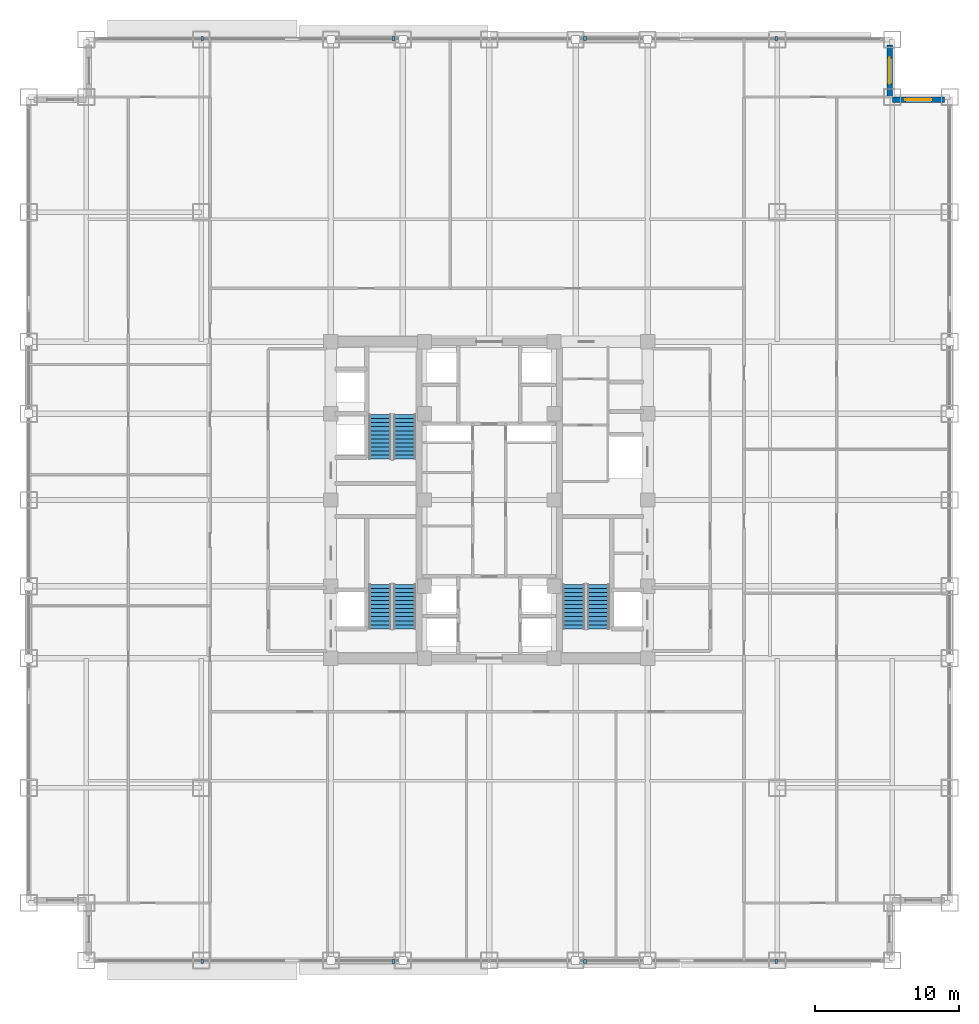
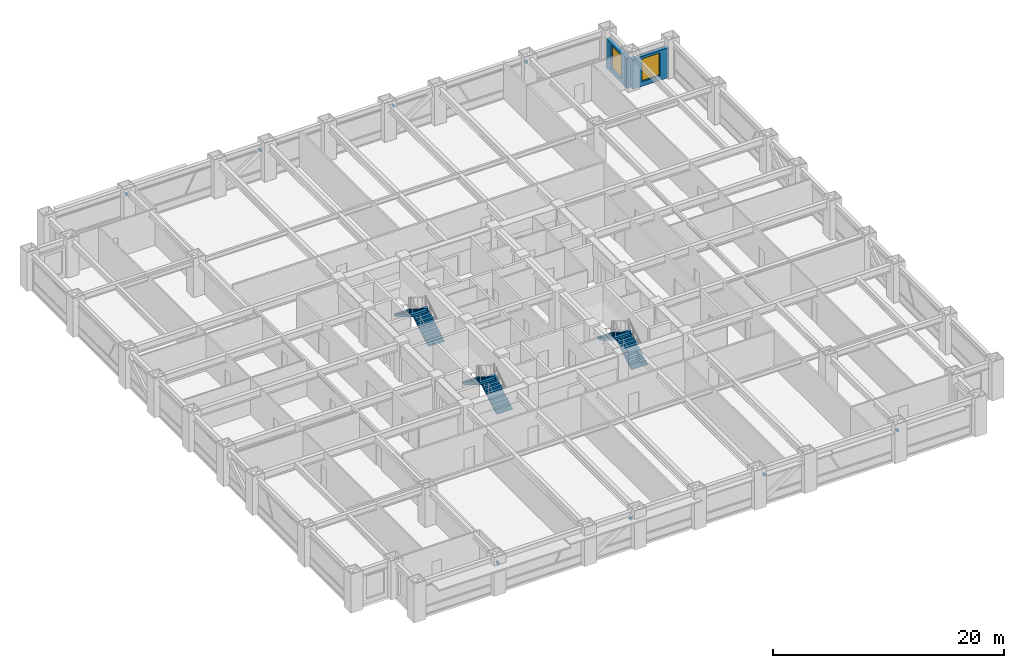
# One storey, part 27 of 32: 8 discrete accessories, 6 stair flights, 2 walls, 2 windows, 2 openings, 3 elements without a shape of their own.
"""IFC4 building model written with IfcOpenShell, lengths in metres."""

from ifc_helpers import new_model, si_unit, direction, frame, frame_2d, origin, origin_2d, place, context, subcontext, project, spatial, polyline, rectangle, outline, extrude, source, transform, mapped, material, layer, layer_set, type_object, element, fill, aggregate, save


model = new_model("IFC4")

# Units and contexts
model_context = context("Model", 3, precision=1e-05, world=origin(), true_north=direction((0.0, 1.0)))
body_context = subcontext(model_context, "Body", "Model", "MODEL_VIEW")
ifc_project = project(units=[si_unit("LENGTHUNIT", "METRE"), si_unit("AREAUNIT", "SQUARE_METRE"), si_unit("VOLUMEUNIT", "CUBIC_METRE"), si_unit("PLANEANGLEUNIT", "RADIAN"), si_unit("MASSUNIT", "GRAM", prefix="KILO")], contexts=[model_context])

# Site, building, storey
site_placement = place(None, origin())
site = spatial("IfcSite", under=ifc_project, at=site_placement, CompositionType="ELEMENT")
building_placement = place(site_placement, origin())
building = spatial("IfcBuilding", under=site, at=building_placement, Name="Khorayat Bourse Tower", CompositionType="ELEMENT")
storey_placement = place(building_placement, frame((0.0, 0.0, 132.39990234375)))
storey = spatial("IfcBuildingStorey", under=building, at=storey_placement, Name="L30", CompositionType="ELEMENT", Elevation=132.39990234375)

# Wall, opening, window
ifc_material_1 = material(Name="Precast concrete C45/55", Category="concrete")
ifc_layer = layer(ifc_material_1, 0.3798828125)
ifc_layer_set = layer_set([ifc_layer], Name="Precast concrete C45/55")
wall_type = type_object("IfcWallType", Name="WAL-EXT-STONE-380", PredefinedType="STANDARD", material=ifc_layer_set)
shared_shape_1 = source(origin(), body_context, "Body", "SweptSolid", [
    extrude(rectangle(XDim=3.6201171875, YDim=0.3798828125, at=frame_2d((1.81005859375, 0.0))), origin(), (0.0, 0.0, 1.0), 3.14501953125),
])
wall_1_placement = place(storey_placement, frame((28.0, 27.81005859375, 0.0), z_axis=(0.0, 0.0, 1.0), x_axis=(1.0, 0.0, 0.0)))
wall_1 = element("IfcWall", 1, at=wall_1_placement, inside=storey, type_object=wall_type, Name="L30 Re-Entrant Notch Limestone Wall NE-H", PredefinedType="STANDARD", context=body_context, shape_type="MappedRepresentation", body=[
    mapped(shared_shape_1, transform((0.0, 0.0, 0.0), scale=1.0)),
])
shared_shape_2 = source(origin(), body_context, "Body", "SweptSolid", [
    extrude(rectangle(XDim=1.800048828125, YDim=2.39990234375, at=frame_2d((0.89990234375, 1.199951171875))), frame((0.0, 0.199951171875, 0.0), z_axis=(0.0, -1.0, 0.0), x_axis=(1.0, 0.0, 0.0)), (0.0, 0.0, 1.0), 0.39990234375),
])
opening_1_placement = place(wall_1_placement, frame((0.909912109375, 0.0, 0.5)))
opening_1 = element("IfcOpeningElement", 2, at=opening_1_placement, cuts=wall_1, Name="Opening WN-04", PredefinedType="OPENING", context=body_context, shape_type="MappedRepresentation", body=[
    mapped(shared_shape_2, transform((0.0, 0.0, 0.0), scale=1.0)),
])
ifc_material_2 = material(Name="Low-E acoustic laminated double glazing", Category="glass")
window_type = type_object("IfcWindowType", Name="WIN-NOTCH-1800x2400", PartitioningType="SINGLE_PANEL", PredefinedType="WINDOW", material=ifc_material_2)
shared_shape_3 = source(origin(), body_context, "Body", "SweptSolid", [
    extrude(rectangle(XDim=1.800048828125, YDim=2.39990234375, at=frame_2d((0.89990234375, 1.199951171875))), frame((0.0, 0.030029296875, 0.0), z_axis=(0.0, -1.0, 0.0), x_axis=(1.0, 0.0, 0.0)), (0.0, 0.0, 1.0), 0.06005859375),
])
window_1_placement = place(opening_1_placement, origin())
window_1 = element("IfcWindow", 3, at=window_1_placement, inside=storey, type_object=window_type, Name="L30 Facade Window 1", OverallHeight=2.39990234375, OverallWidth=1.800048828125, PartitioningType="SINGLE_PANEL", PredefinedType="WINDOW", context=body_context, shape_type="MappedRepresentation", body=[
    mapped(shared_shape_3, transform((0.0, 0.0, 0.0), scale=1.0)),
])
fill(opening_1, window_1)

wall_2_placement = place(storey_placement, frame((27.81005859375, 28.0, 0.0), z_axis=(0.0, 0.0, 1.0), x_axis=(0.0, 1.0, 0.0)))
wall_2 = element("IfcWall", 4, at=wall_2_placement, inside=storey, type_object=wall_type, Name="L30 Re-Entrant Notch Limestone Wall NE-V", PredefinedType="STANDARD", context=body_context, shape_type="MappedRepresentation", body=[
    mapped(shared_shape_1, transform((0.0, 0.0, 0.0), scale=1.0)),
])
opening_2_placement = place(wall_2_placement, frame((0.909912109375, 0.0, 0.5)))
opening_2 = element("IfcOpeningElement", 5, at=opening_2_placement, cuts=wall_2, Name="Opening WN-04", PredefinedType="OPENING", context=body_context, shape_type="MappedRepresentation", body=[
    mapped(shared_shape_2, transform((0.0, 0.0, 0.0), scale=1.0)),
])
window_2_placement = place(opening_2_placement, origin())
window_2 = element("IfcWindow", 6, at=window_2_placement, inside=storey, type_object=window_type, Name="L30 Facade Window 1", OverallHeight=2.39990234375, OverallWidth=1.800048828125, PartitioningType="SINGLE_PANEL", PredefinedType="WINDOW", context=body_context, shape_type="MappedRepresentation", body=[
    mapped(shared_shape_3, transform((0.0, 0.0, 0.0), scale=1.0)),
])
fill(opening_2, window_2)

# Stair, stair flights
ifc_material_3 = material(Name="Concrete C40/50", Category="concrete")
stair_type = type_object("IfcStairType", Name="STR-CORE-1550", PredefinedType="HALF_TURN_STAIR", material=ifc_material_3)
stair_1_placement = place(storey_placement, origin())
stair_1 = element("IfcStair", 7, at=stair_1_placement, inside=storey, type_object=stair_type, Name="L30 Exit Stair ST-1", PredefinedType="HALF_TURN_STAIR")
stair_flight_type = type_object("IfcStairFlightType", Name="FLT-CORE-1550", PredefinedType="STRAIGHT", material=ifc_material_3)
shared_shape_4 = source(origin(), body_context, "Body", "SweptSolid", [
    extrude(outline(polyline([(0.0, 0.0), (0.0, 0.1708984375), (0.280029296875, 0.1708984375), (0.280029296875, 0.341552734375), (0.56005859375, 0.341552734375), (0.56005859375, 0.512451171875), (0.840087890625, 0.512451171875), (0.840087890625, 0.683349609375), (1.1201171875, 0.683349609375), (1.1201171875, 0.854248046875), (1.39990234375, 0.854248046875), (1.39990234375, 1.02490234375), (1.679931640625, 1.02490234375), (1.679931640625, 1.19580078125), (1.9599609375, 1.19580078125), (1.9599609375, 1.36669921875), (2.239990234375, 1.36669921875), (2.239990234375, 1.53759765625), (2.52001953125, 1.53759765625), (2.52001953125, 1.708251953125), (2.800048828125, 1.708251953125), (2.800048828125, 1.879150390625), (3.080078125, 1.879150390625), (3.080078125, 2.050048828125), (3.080078125, 1.66845703125), (0.345458984375, 0.0), (0.0, 0.0)])), frame((0.0, 0.77490234375, 0.0), z_axis=(0.0, -1.0, 0.0), x_axis=(1.0, 0.0, 0.0)), (0.0, 0.0, 1.0), 1.550048828125),
])
stair_flight_1_placement = place(storey_placement, frame((-5.875, -8.949951171875, 0.0), z_axis=(0.0, 0.0, 1.0), x_axis=(0.0, 1.0, 0.0)))
stair_flight_1 = element("IfcStairFlight", 8, at=stair_flight_1_placement, type_object=stair_flight_type, Name="ST-1 flight 1", NumberOfRisers=12, NumberOfTreads=11, PredefinedType="STRAIGHT", RiserHeight=0.170833333, TreadLength=0.28, context=body_context, shape_type="MappedRepresentation", body=[
    mapped(shared_shape_4, transform((0.0, 0.0, 0.0), scale=1.0)),
])
stair_flight_2_placement = place(storey_placement, frame((-7.574951171875, -5.8701171875, 2.050048828125), z_axis=(0.0, 0.0, 1.0), x_axis=(0.0, -1.0, 0.0)))
stair_flight_2 = element("IfcStairFlight", 9, at=stair_flight_2_placement, type_object=stair_flight_type, Name="ST-1 flight 2", NumberOfRisers=12, NumberOfTreads=11, PredefinedType="STRAIGHT", RiserHeight=0.170833333, TreadLength=0.28, context=body_context, shape_type="MappedRepresentation", body=[
    mapped(shared_shape_4, transform((0.0, 0.0, 0.0), scale=1.0)),
])
aggregate(stair_1, [stair_flight_1, stair_flight_2])

stair_2_placement = place(storey_placement, origin())
stair_2 = element("IfcStair", 10, at=stair_2_placement, inside=storey, type_object=stair_type, Name="L30 Exit Stair ST-2", PredefinedType="HALF_TURN_STAIR")
stair_flight_3_placement = place(storey_placement, frame((-5.875, 2.85009765625, 0.0), z_axis=(0.0, 0.0, 1.0), x_axis=(0.0, 1.0, 0.0)))
stair_flight_3 = element("IfcStairFlight", 11, at=stair_flight_3_placement, type_object=stair_flight_type, Name="ST-2 flight 1", NumberOfRisers=12, NumberOfTreads=11, PredefinedType="STRAIGHT", RiserHeight=0.170833333, TreadLength=0.28, context=body_context, shape_type="MappedRepresentation", body=[
    mapped(shared_shape_4, transform((0.0, 0.0, 0.0), scale=1.0)),
])
stair_flight_4_placement = place(storey_placement, frame((-7.574951171875, 5.929931640625, 2.050048828125), z_axis=(0.0, 0.0, 1.0), x_axis=(0.0, -1.0, 0.0)))
stair_flight_4 = element("IfcStairFlight", 12, at=stair_flight_4_placement, type_object=stair_flight_type, Name="ST-2 flight 2", NumberOfRisers=12, NumberOfTreads=11, PredefinedType="STRAIGHT", RiserHeight=0.170833333, TreadLength=0.28, context=body_context, shape_type="MappedRepresentation", body=[
    mapped(shared_shape_4, transform((0.0, 0.0, 0.0), scale=1.0)),
])
aggregate(stair_2, [stair_flight_3, stair_flight_4])

stair_3_placement = place(storey_placement, origin())
stair_3 = element("IfcStair", 13, at=stair_3_placement, inside=storey, type_object=stair_type, Name="L30 Exit Stair ST-3", PredefinedType="HALF_TURN_STAIR")
stair_flight_5_placement = place(storey_placement, frame((7.574951171875, -8.949951171875, 0.0), z_axis=(0.0, 0.0, 1.0), x_axis=(0.0, 1.0, 0.0)))
stair_flight_5 = element("IfcStairFlight", 14, at=stair_flight_5_placement, type_object=stair_flight_type, Name="ST-3 flight 1", NumberOfRisers=12, NumberOfTreads=11, PredefinedType="STRAIGHT", RiserHeight=0.170833333, TreadLength=0.28, context=body_context, shape_type="MappedRepresentation", body=[
    mapped(shared_shape_4, transform((0.0, 0.0, 0.0), scale=1.0)),
])
stair_flight_6_placement = place(storey_placement, frame((5.875, -5.8701171875, 2.050048828125), z_axis=(0.0, 0.0, 1.0), x_axis=(0.0, -1.0, 0.0)))
stair_flight_6 = element("IfcStairFlight", 15, at=stair_flight_6_placement, type_object=stair_flight_type, Name="ST-3 flight 2", NumberOfRisers=12, NumberOfTreads=11, PredefinedType="STRAIGHT", RiserHeight=0.170833333, TreadLength=0.28, context=body_context, shape_type="MappedRepresentation", body=[
    mapped(shared_shape_4, transform((0.0, 0.0, 0.0), scale=1.0)),
])
aggregate(stair_3, [stair_flight_5, stair_flight_6])

# Discrete accessories
ifc_material_4 = material(Name="Steel EN 10025-2 S355J2", Category="steel")
discrete_accessory_type = type_object("IfcDiscreteAccessoryType", Name="ACC-SHADE-BRACKET", PredefinedType="BRACKET", material=ifc_material_4)
shared_shape_5 = source(origin(), body_context, "Body", "SweptSolid", [
    extrude(rectangle(XDim=0.179931640625, YDim=0.300048828125, at=origin_2d()), origin(), (0.0, 0.0, 1.0), 0.239990234375),
])
for number, where, z_axis, x_axis, name in (
    (16, (-19.949951171875, -32.06005859375, 2.93994140625), (0.0, 0.0, 1.0), (1.0, 0.0, 0.0), "L30 Sunshade Support Bracket S-1"),
    (17, (-6.64990234375, -32.06005859375, 2.93994140625), (0.0, 0.0, 1.0), (1.0, 0.0, 0.0), "L30 Sunshade Support Bracket S-2"),
    (18, (6.64990234375, -32.06005859375, 2.93994140625), (0.0, 0.0, 1.0), (1.0, 0.0, 0.0), "L30 Sunshade Support Bracket S-3"),
    (19, (19.949951171875, -32.06005859375, 2.93994140625), (0.0, 0.0, 1.0), (1.0, 0.0, 0.0), "L30 Sunshade Support Bracket S-4"),
    (20, (-19.949951171875, 32.06005859375, 2.93994140625), (0.0, 0.0, 1.0), (1.0, 0.0, 0.0), "L30 Sunshade Support Bracket N-1"),
    (21, (-6.64990234375, 32.06005859375, 2.93994140625), (0.0, 0.0, 1.0), (1.0, 0.0, 0.0), "L30 Sunshade Support Bracket N-2"),
    (22, (6.64990234375, 32.06005859375, 2.93994140625), (0.0, 0.0, 1.0), (1.0, 0.0, 0.0), "L30 Sunshade Support Bracket N-3"),
    (23, (19.949951171875, 32.06005859375, 2.93994140625), (0.0, 0.0, 1.0), (1.0, 0.0, 0.0), "L30 Sunshade Support Bracket N-4"),
):
    element("IfcDiscreteAccessory", number, at=place(storey_placement, frame(where, z_axis=z_axis, x_axis=x_axis)), inside=storey, type_object=discrete_accessory_type, Name=name, PredefinedType="BRACKET", context=body_context, shape_type="MappedRepresentation", body=[
        mapped(shared_shape_5, transform((0.0, 0.0, 0.0), scale=1.0)),
    ])

save(model, "model.ifc")
